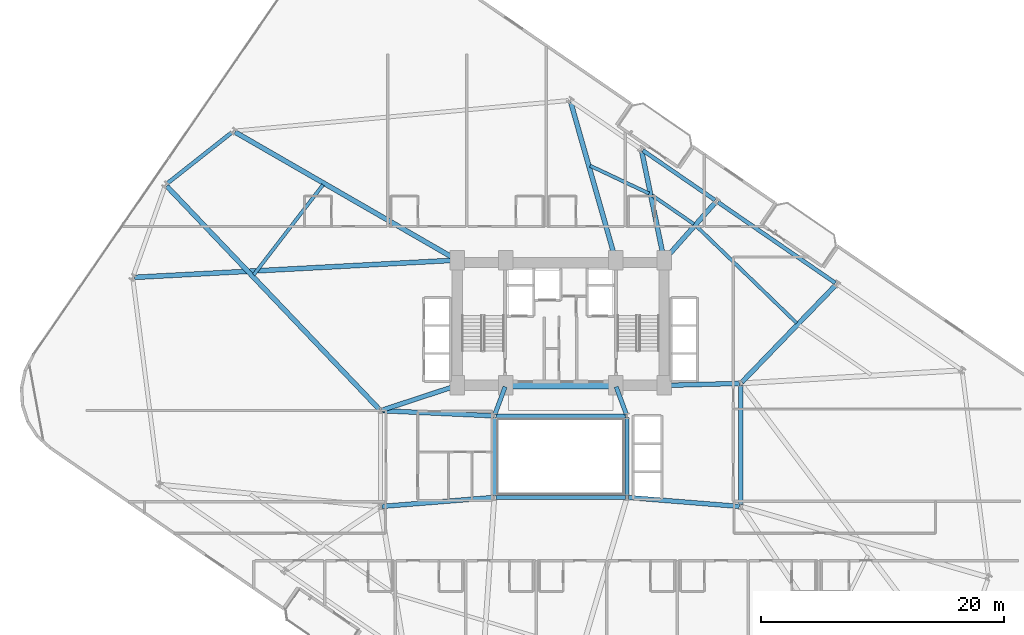
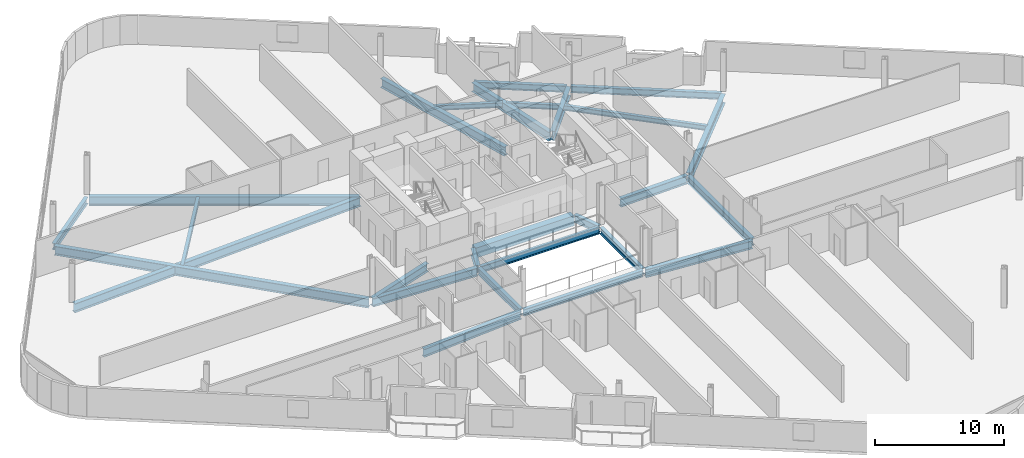
# One storey, part 7 of 27: 27 beams.
"""IFC4 building model written with IfcOpenShell, lengths in metres."""

from ifc_helpers import new_model, si_unit, direction, frame, origin, origin_2d, place, context, subcontext, project, spatial, rectangle, i_section, extrude, material, material_profile, profile_set, type_object, element, save


model = new_model("IFC4")

# Units and contexts
model_context = context("Model", 3, precision=1e-05, world=origin(), true_north=direction((0.0, 1.0)))
body_context = subcontext(model_context, "Body", "Model", "MODEL_VIEW")
ifc_project = project(units=[si_unit("LENGTHUNIT", "METRE"), si_unit("AREAUNIT", "SQUARE_METRE"), si_unit("VOLUMEUNIT", "CUBIC_METRE"), si_unit("PLANEANGLEUNIT", "RADIAN"), si_unit("MASSUNIT", "GRAM", prefix="KILO")], contexts=[model_context])

# Site, building, storey
site_placement = place(None, origin())
site = spatial("IfcSite", under=ifc_project, at=site_placement, CompositionType="ELEMENT")
building_placement = place(site_placement, origin())
building = spatial("IfcBuilding", under=site, at=building_placement, Name="Varnelok Gate Tower", CompositionType="ELEMENT")
storey_placement = place(building_placement, frame((0.0, 0.0, 60.300048828125)))
storey = spatial("IfcBuildingStorey", under=building, at=storey_placement, Name="L14", CompositionType="ELEMENT", Elevation=60.300048828125)

# Beams
ifc_material_1 = material(Name="Structural Steel ASTM A992 Grade 50", Category="steel")
ifc_material_profile_1 = material_profile(ifc_material_1, i_section(OverallWidth=0.280029296875, OverallDepth=0.462890625, WebThickness=0.0107421875, FlangeThickness=0.017333984375, FilletRadius=0.014892578125, at=origin_2d()), Name="W18X76")
ifc_profile_set_1 = profile_set([ifc_material_profile_1], Name="Structural Steel ASTM A992 Grade 50")
beam_type_1 = type_object("IfcBeamType", Name="BM-JST-W18X76", PredefinedType="JOIST", material=ifc_profile_set_1)
beam_1_placement = place(storey_placement, frame((58.5947265625, 33.877197265625, -0.4814453125), z_axis=(-0.718874345173, 0.695140040461, 0.0), x_axis=(-0.695140040461, -0.718874345173, 0.0)))
element("IfcBeam", 1, at=beam_1_placement, inside=storey, type_object=beam_type_1, Name="L14 Sector Floor Joist 7", PredefinedType="JOIST", context=body_context, shape_type="SweptSolid", body=[
    extrude(i_section(OverallWidth=0.280029296875, OverallDepth=0.462890625, WebThickness=0.0107421875, FlangeThickness=0.017333984375, FilletRadius=0.014892578125, at=origin_2d()), origin(), (0.0, 0.0, 1.0), 11.44873046875),
])
beam_2_placement = place(storey_placement, frame((50.1484375, 42.012451171875, -0.4814453125), z_axis=(-0.823530629051, 0.567271806998, 0.0), x_axis=(-0.567271806998, -0.823530629051, 0.0)))
element("IfcBeam", 2, at=beam_2_placement, inside=storey, type_object=beam_type_1, Name="L14 Sector Floor Joist 8", PredefinedType="JOIST", context=body_context, shape_type="SweptSolid", body=[
    extrude(i_section(OverallWidth=0.280029296875, OverallDepth=0.462890625, WebThickness=0.0107421875, FlangeThickness=0.017333984375, FilletRadius=0.014892578125, at=origin_2d()), origin(), (0.0, 0.0, 1.0), 4.182373046875),
])
beam_3_placement = place(storey_placement, frame((46.462158203125, 44.524169921875, -0.4814453125), z_axis=(-0.904778340288, 0.425882794846, 0.0), x_axis=(-0.425882794846, -0.904778340288, 0.0)))
element("IfcBeam", 3, at=beam_3_placement, inside=storey, type_object=beam_type_1, Name="L14 Sector Floor Joist 9", PredefinedType="JOIST", context=body_context, shape_type="SweptSolid", body=[
    extrude(i_section(OverallWidth=0.280029296875, OverallDepth=0.462890625, WebThickness=0.0107421875, FlangeThickness=0.017333984375, FilletRadius=0.014892578125, at=origin_2d()), origin(), (0.0, 0.0, 1.0), 5.3466796875),
])
beam_4_placement = place(storey_placement, frame((19.67578125, 45.244384765625, -0.4814453125), z_axis=(-0.609902498527, -0.792476461663, 0.0), x_axis=(0.792476461663, -0.609902498527, 0.0)))
element("IfcBeam", 4, at=beam_4_placement, inside=storey, type_object=beam_type_1, Name="L14 Sector Floor Joist 10", PredefinedType="JOIST", context=body_context, shape_type="SweptSolid", body=[
    extrude(i_section(OverallWidth=0.280029296875, OverallDepth=0.462890625, WebThickness=0.0107421875, FlangeThickness=0.017333984375, FilletRadius=0.014892578125, at=origin_2d()), origin(), (0.0, 0.0, 1.0), 9.3525390625),
])
ifc_material_2 = material(Name="Concrete C60/75", Category="concrete")
ifc_material_profile_2 = material_profile(ifc_material_2, rectangle(XDim=0.60009765625, YDim=0.949951171875, at=origin_2d()), Name="RC950X600")
ifc_profile_set_2 = profile_set([ifc_material_profile_2], Name="Concrete C60/75")
beam_type_2 = type_object("IfcBeamType", Name="BM-LNT-RC950", PredefinedType="LINTEL", material=ifc_profile_set_2)
beam_5_placement = place(storey_placement, frame((34.800048828125, 28.75, -0.72509765625), z_axis=(1.0, 0.0, 0.0), x_axis=(0.0, 1.0, 0.0)))
element("IfcBeam", 5, at=beam_5_placement, inside=storey, type_object=beam_type_2, Name="L14 Core-Atrium Spine Beam 7", PredefinedType="LINTEL", context=body_context, shape_type="SweptSolid", body=[
    extrude(rectangle(XDim=0.60009765625, YDim=0.949951171875, at=origin_2d()), origin(), (0.0, 0.0, 1.0), 8.800048828125),
])
ifc_material_profile_3 = material_profile(ifc_material_1, i_section(OverallWidth=0.35498046875, OverallDepth=0.696044921875, WebThickness=0.015380859375, FlangeThickness=0.02490234375, FilletRadius=0.02001953125, at=origin_2d()), Name="W27X146")
ifc_profile_set_3 = profile_set([ifc_material_profile_3], Name="Structural Steel ASTM A992 Grade 50")
beam_type_3 = type_object("IfcBeamType", Name="BM-PRI-W27X146", PredefinedType="BEAM", material=ifc_profile_set_3)
for number, where, z_axis, x_axis, name in (
    (6, (33.791748046875, 26.362548828125, -0.59814453125), (0.348719329408, 0.937227202602, 0.0), (-0.937227202602, 0.348719329408, 0.0), "L14 Core-Atrium Spine Beam 12"),
    (7, (44.608154296875, 26.362548828125, -0.59814453125), (-0.348719329408, 0.937227202602, 0.0), (-0.937227202602, -0.348719329408, 0.0), "L14 Core-Atrium Spine Beam 13"),
):
    element("IfcBeam", number, at=place(storey_placement, frame(where, z_axis=z_axis, x_axis=x_axis)), inside=storey, type_object=beam_type_3, Name=name, PredefinedType="BEAM", context=body_context, shape_type="SweptSolid", body=[
        extrude(i_section(OverallWidth=0.35498046875, OverallDepth=0.696044921875, WebThickness=0.015380859375, FlangeThickness=0.02490234375, FilletRadius=0.02001953125, at=origin_2d()), origin(), (0.0, 0.0, 1.0), 2.42724609375),
    ])
beam_6_placement = place(storey_placement, frame((54.0, 18.919921875, -0.59814453125), z_axis=(0.0, 1.0, 0.0), x_axis=(-1.0, 0.0, 0.0)))
element("IfcBeam", 8, at=beam_6_placement, inside=storey, type_object=beam_type_3, Name="L14 Core-Atrium Spine Beam 20", PredefinedType="BEAM", context=body_context, shape_type="SweptSolid", body=[
    extrude(i_section(OverallWidth=0.35498046875, OverallDepth=0.696044921875, WebThickness=0.015380859375, FlangeThickness=0.02490234375, FilletRadius=0.02001953125, at=origin_2d()), origin(), (0.0, 0.0, 1.0), 9.880126953125),
])
ifc_material_profile_4 = material_profile(ifc_material_1, i_section(OverallWidth=0.381103515625, OverallDepth=0.77294921875, WebThickness=0.0166015625, FlangeThickness=0.027099609375, FilletRadius=0.02197265625, at=origin_2d()), Name="W30X173")
ifc_profile_set_4 = profile_set([ifc_material_profile_4], Name="Structural Steel ASTM A992 Grade 50")
beam_type_4 = type_object("IfcBeamType", Name="BM-PRI-W30X173", PredefinedType="BEAM", material=ifc_profile_set_4)
beam_7_placement = place(storey_placement, frame((24.51953125, 18.8095703125, -0.636474609375), z_axis=(0.996799206292, 0.07994587128, 0.0), x_axis=(-0.07994587128, 0.996799206292, 0.0)))
element("IfcBeam", 9, at=beam_7_placement, inside=storey, type_object=beam_type_4, Name="L14 Core-Atrium Spine Beam 14", PredefinedType="BEAM", context=body_context, shape_type="SweptSolid", body=[
    extrude(i_section(OverallWidth=0.381103515625, OverallDepth=0.77294921875, WebThickness=0.0166015625, FlangeThickness=0.027099609375, FilletRadius=0.02197265625, at=origin_2d()), origin(), (0.0, 0.0, 1.0), 9.14013671875),
])
beam_8_placement = place(storey_placement, frame((24.52001953125, 26.674560546875, -0.636474609375), z_axis=(0.99894427814, -0.045938319209, 0.0), x_axis=(0.045938319209, 0.99894427814, 0.0)))
element("IfcBeam", 10, at=beam_8_placement, inside=storey, type_object=beam_type_4, Name="L14 Core-Atrium Spine Beam 15", PredefinedType="BEAM", context=body_context, shape_type="SweptSolid", body=[
    extrude(i_section(OverallWidth=0.381103515625, OverallDepth=0.77294921875, WebThickness=0.0166015625, FlangeThickness=0.027099609375, FilletRadius=0.02197265625, at=origin_2d()), origin(), (0.0, 0.0, 1.0), 9.11962890625),
])
beam_9_placement = place(storey_placement, frame((24.513916015625, 26.717529296875, -0.636474609375), z_axis=(0.950041943788, 0.312122259768, 0.0), x_axis=(-0.312122259768, 0.950041943788, 0.0)))
element("IfcBeam", 11, at=beam_9_placement, inside=storey, type_object=beam_type_4, Name="L14 Core-Atrium Spine Beam 17", PredefinedType="BEAM", context=body_context, shape_type="SweptSolid", body=[
    extrude(i_section(OverallWidth=0.381103515625, OverallDepth=0.77294921875, WebThickness=0.0166015625, FlangeThickness=0.027099609375, FilletRadius=0.02197265625, at=origin_2d()), origin(), (0.0, 0.0, 1.0), 6.391357421875),
])
beam_10_placement = place(storey_placement, frame((44.76953125, 19.540283203125, -0.636474609375), z_axis=(0.996799206292, -0.07994587128, 0.0), x_axis=(0.07994587128, 0.996799206292, 0.0)))
element("IfcBeam", 12, at=beam_10_placement, inside=storey, type_object=beam_type_4, Name="L14 Core-Atrium Spine Beam 18", PredefinedType="BEAM", context=body_context, shape_type="SweptSolid", body=[
    extrude(i_section(OverallWidth=0.381103515625, OverallDepth=0.77294921875, WebThickness=0.0166015625, FlangeThickness=0.027099609375, FilletRadius=0.02197265625, at=origin_2d()), origin(), (0.0, 0.0, 1.0), 9.14013671875),
])
beam_11_placement = place(storey_placement, frame((47.820068359375, 28.753173828125, -0.636474609375), z_axis=(0.999635880609, 0.026983443053, 0.0), x_axis=(-0.026983443053, 0.999635880609, 0.0)))
element("IfcBeam", 13, at=beam_11_placement, inside=storey, type_object=beam_type_4, Name="L14 Core-Atrium Spine Beam 19", PredefinedType="BEAM", context=body_context, shape_type="SweptSolid", body=[
    extrude(i_section(OverallWidth=0.381103515625, OverallDepth=0.77294921875, WebThickness=0.0166015625, FlangeThickness=0.027099609375, FilletRadius=0.02197265625, at=origin_2d()), origin(), (0.0, 0.0, 1.0), 6.06201171875),
])
ifc_material_profile_5 = material_profile(ifc_material_1, i_section(OverallWidth=0.39892578125, OverallDepth=0.85498046875, WebThickness=0.018310546875, FlangeThickness=0.029296875, FilletRadius=0.02392578125, at=origin_2d()), Name="W33X201")
ifc_profile_set_5 = profile_set([ifc_material_profile_5], Name="Structural Steel ASTM A992 Grade 50")
beam_type_5 = type_object("IfcBeamType", Name="BM-PRI-W33X201", PredefinedType="BEAM", material=ifc_profile_set_5)
beam_12_placement = place(storey_placement, frame((54.104248046875, 29.02783203125, -0.677490234375), z_axis=(0.694813956558, 0.719189520066, 0.0), x_axis=(-0.719189520066, 0.694813956558, 0.0)))
element("IfcBeam", 14, at=beam_12_placement, inside=storey, type_object=beam_type_5, Name="L14 Radial Floor Girder 10", PredefinedType="BEAM", context=body_context, shape_type="SweptSolid", body=[
    extrude(i_section(OverallWidth=0.39892578125, OverallDepth=0.85498046875, WebThickness=0.018310546875, FlangeThickness=0.029296875, FilletRadius=0.02392578125, at=origin_2d()), origin(), (0.0, 0.0, 1.0), 11.057373046875),
])
beam_13_placement = place(storey_placement, frame((47.7998046875, 39.162109375, -0.677490234375), z_axis=(0.664520653518, 0.747269898395, 0.0), x_axis=(-0.747269898395, 0.664520653518, 0.0)))
element("IfcBeam", 15, at=beam_13_placement, inside=storey, type_object=beam_type_5, Name="L14 Radial Floor Girder 11", PredefinedType="BEAM", context=body_context, shape_type="SweptSolid", body=[
    extrude(i_section(OverallWidth=0.39892578125, OverallDepth=0.85498046875, WebThickness=0.018310546875, FlangeThickness=0.029296875, FilletRadius=0.02392578125, at=origin_2d()), origin(), (0.0, 0.0, 1.0), 6.18408203125),
])
beam_14_placement = place(storey_placement, frame((47.669921875, 39.197021484375, -0.677490234375), z_axis=(-0.201054404261, 0.979580076628, 0.0), x_axis=(-0.979580076628, -0.201054404261, 0.0)))
element("IfcBeam", 16, at=beam_14_placement, inside=storey, type_object=beam_type_5, Name="L14 Radial Floor Girder 12", PredefinedType="BEAM", context=body_context, shape_type="SweptSolid", body=[
    extrude(i_section(OverallWidth=0.39892578125, OverallDepth=0.85498046875, WebThickness=0.018310546875, FlangeThickness=0.029296875, FilletRadius=0.02392578125, at=origin_2d()), origin(), (0.0, 0.0, 1.0), 8.989501953125),
])
beam_15_placement = place(storey_placement, frame((43.678955078125, 39.1943359375, -0.677490234375), z_axis=(-0.273636323057, 0.961833230193, 0.0), x_axis=(-0.961833230193, -0.273636323057, 0.0)))
element("IfcBeam", 17, at=beam_15_placement, inside=storey, type_object=beam_type_5, Name="L14 Radial Floor Girder 13", PredefinedType="BEAM", context=body_context, shape_type="SweptSolid", body=[
    extrude(i_section(OverallWidth=0.39892578125, OverallDepth=0.85498046875, WebThickness=0.018310546875, FlangeThickness=0.029296875, FilletRadius=0.02392578125, at=origin_2d()), origin(), (0.0, 0.0, 1.0), 13.348388671875),
])
beam_16_placement = place(storey_placement, frame((30.570068359375, 39.125, -0.677490234375), z_axis=(-0.866373398512, 0.499396770465, 0.0), x_axis=(-0.499396770465, -0.866373398512, 0.0)))
element("IfcBeam", 18, at=beam_16_placement, inside=storey, type_object=beam_type_5, Name="L14 Radial Floor Girder 14", PredefinedType="BEAM", context=body_context, shape_type="SweptSolid", body=[
    extrude(i_section(OverallWidth=0.39892578125, OverallDepth=0.85498046875, WebThickness=0.018310546875, FlangeThickness=0.029296875, FilletRadius=0.02392578125, at=origin_2d()), origin(), (0.0, 0.0, 1.0), 20.920166015625),
])
beam_17_placement = place(storey_placement, frame((24.296630859375, 26.78857421875, -0.677490234375), z_axis=(-0.68957548794, 0.72421381265, 0.0), x_axis=(-0.72421381265, -0.68957548794, 0.0)))
element("IfcBeam", 19, at=beam_17_placement, inside=storey, type_object=beam_type_5, Name="L14 Radial Floor Girder 15", PredefinedType="BEAM", context=body_context, shape_type="SweptSolid", body=[
    extrude(i_section(OverallWidth=0.39892578125, OverallDepth=0.85498046875, WebThickness=0.018310546875, FlangeThickness=0.029296875, FilletRadius=0.02392578125, at=origin_2d()), origin(), (0.0, 0.0, 1.0), 25.324462890625),
])
beam_18_placement = place(storey_placement, frame((30.55029296875, 39.0419921875, -0.677490234375), z_axis=(-0.998572952572, -0.053404666383, 0.0), x_axis=(0.053404666383, -0.998572952572, 0.0)))
element("IfcBeam", 20, at=beam_18_placement, inside=storey, type_object=beam_type_5, Name="L14 Radial Floor Girder 16", PredefinedType="BEAM", context=body_context, shape_type="SweptSolid", body=[
    extrude(i_section(OverallWidth=0.39892578125, OverallDepth=0.85498046875, WebThickness=0.018310546875, FlangeThickness=0.029296875, FilletRadius=0.02392578125, at=origin_2d()), origin(), (0.0, 0.0, 1.0), 26.405029296875),
])
ifc_material_profile_6 = material_profile(ifc_material_1, i_section(OverallWidth=0.323974609375, OverallDepth=0.611083984375, WebThickness=0.0126953125, FlangeThickness=0.01904296875, FilletRadius=0.01806640625, at=origin_2d()), Name="W24X104")
ifc_profile_set_6 = profile_set([ifc_material_profile_6], Name="Structural Steel ASTM A992 Grade 50")
beam_type_6 = type_object("IfcBeamType", Name="BM-SPN-W24X104", PredefinedType="SPANDREL", material=ifc_profile_set_6)
for number, where, z_axis, x_axis, name in (
    (21, (33.8701171875, 19.550048828125, -0.5556640625), (1.0, 0.0, 0.0), (0.0, 1.0, 0.0), "L14 Core-Atrium Spine Beam 8"),
    (22, (33.8701171875, 26.25, -0.5556640625), (1.0, 0.0, 0.0), (0.0, 1.0, 0.0), "L14 Core-Atrium Spine Beam 9"),
):
    element("IfcBeam", number, at=place(storey_placement, frame(where, z_axis=z_axis, x_axis=x_axis)), inside=storey, type_object=beam_type_6, Name=name, PredefinedType="SPANDREL", context=body_context, shape_type="SweptSolid", body=[
        extrude(i_section(OverallWidth=0.323974609375, OverallDepth=0.611083984375, WebThickness=0.0126953125, FlangeThickness=0.01904296875, FilletRadius=0.01806640625, at=origin_2d()), origin(), (0.0, 0.0, 1.0), 10.659912109375),
    ])
for number, where, z_axis, x_axis, name in (
    (23, (33.75, 19.669921875, -0.5556640625), (0.0, 1.0, 0.0), (-1.0, 0.0, 0.0), "L14 Core-Atrium Spine Beam 10"),
    (24, (44.64990234375, 19.669921875, -0.5556640625), (0.0, 1.0, 0.0), (-1.0, 0.0, 0.0), "L14 Core-Atrium Spine Beam 11"),
):
    element("IfcBeam", number, at=place(storey_placement, frame(where, z_axis=z_axis, x_axis=x_axis)), inside=storey, type_object=beam_type_6, Name=name, PredefinedType="SPANDREL", context=body_context, shape_type="SweptSolid", body=[
        extrude(i_section(OverallWidth=0.323974609375, OverallDepth=0.611083984375, WebThickness=0.0126953125, FlangeThickness=0.01904296875, FilletRadius=0.01806640625, at=origin_2d()), origin(), (0.0, 0.0, 1.0), 6.4599609375),
    ])
beam_19_placement = place(storey_placement, frame((61.767822265625, 37.173095703125, -0.5556640625), z_axis=(-0.82353077968, 0.567271588324, 0.0), x_axis=(-0.567271588324, -0.82353077968, 0.0)))
element("IfcBeam", 25, at=beam_19_placement, inside=storey, type_object=beam_type_6, Name="L14 Perimeter Spandrel Beam 10", PredefinedType="SPANDREL", context=body_context, shape_type="SweptSolid", body=[
    extrude(i_section(OverallWidth=0.323974609375, OverallDepth=0.611083984375, WebThickness=0.0126953125, FlangeThickness=0.01904296875, FilletRadius=0.01806640625, at=origin_2d()), origin(), (0.0, 0.0, 1.0), 11.7001953125),
])
beam_20_placement = place(storey_placement, frame((51.885498046875, 43.98046875, -0.5556640625), z_axis=(-0.823550897395, 0.567242381527, 0.0), x_axis=(-0.567242381527, -0.823550897395, 0.0)))
element("IfcBeam", 26, at=beam_20_placement, inside=storey, type_object=beam_type_6, Name="L14 Perimeter Spandrel Beam 11", PredefinedType="SPANDREL", context=body_context, shape_type="SweptSolid", body=[
    extrude(i_section(OverallWidth=0.323974609375, OverallDepth=0.611083984375, WebThickness=0.0126953125, FlangeThickness=0.01904296875, FilletRadius=0.01806640625, at=origin_2d()), origin(), (0.0, 0.0, 1.0), 7.2001953125),
])
beam_21_placement = place(storey_placement, frame((12.197509765625, 49.554443359375, -0.5556640625), z_axis=(-0.784860761341, -0.619672159538, 0.0), x_axis=(0.619672159538, -0.784860761341, 0.0)))
element("IfcBeam", 27, at=beam_21_placement, inside=storey, type_object=beam_type_6, Name="L14 Perimeter Spandrel Beam 14", PredefinedType="SPANDREL", context=body_context, shape_type="SweptSolid", body=[
    extrude(i_section(OverallWidth=0.323974609375, OverallDepth=0.611083984375, WebThickness=0.0126953125, FlangeThickness=0.01904296875, FilletRadius=0.01806640625, at=origin_2d()), origin(), (0.0, 0.0, 1.0), 6.81640625),
])

save(model, "model.ifc")
